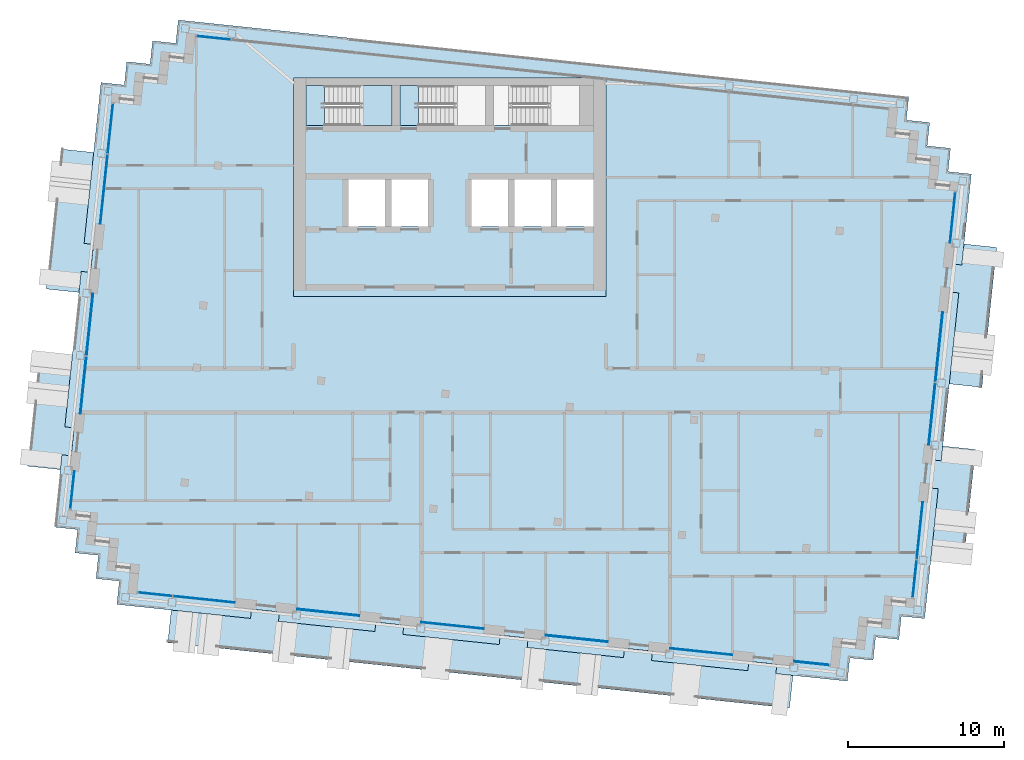
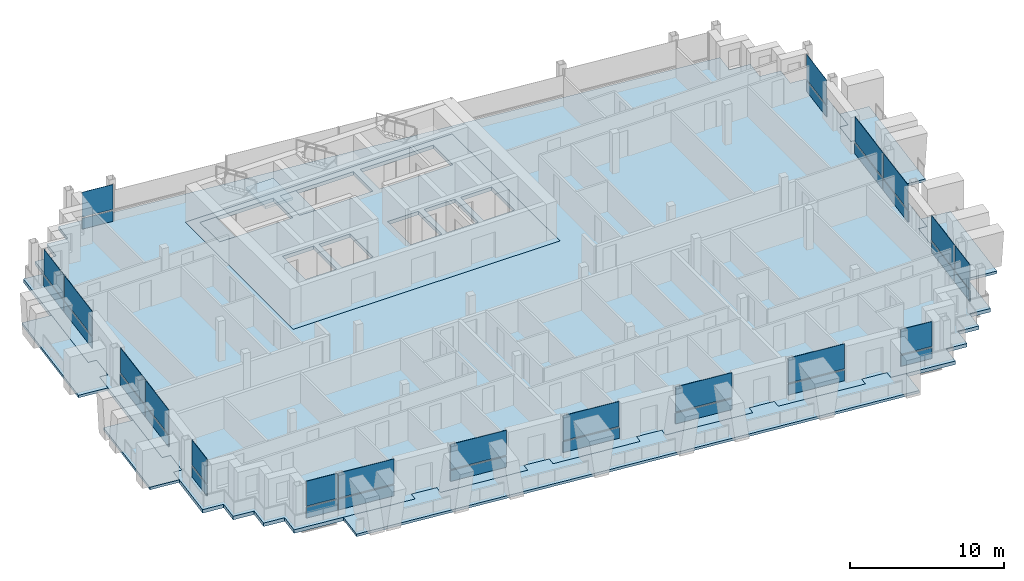
# One storey, part 7 of 17: 36 plates, 10 slabs, 14 elements without a shape of their own.
"""IFC4 building model written with IfcOpenShell, lengths in metres."""

from ifc_helpers import new_model, si_unit, direction, frame, origin, origin_2d, place, context, subcontext, project, spatial, polyline, rectangle, outline, extrude, material, layer, layer_set, type_object, element, aggregate, save


model = new_model("IFC4")

# Units and contexts
model_context = context("Model", 3, precision=1e-05, world=origin(), true_north=direction((0.0, 1.0)))
body_context = subcontext(model_context, "Body", "Model", "MODEL_VIEW")
ifc_project = project(units=[si_unit("LENGTHUNIT", "METRE"), si_unit("AREAUNIT", "SQUARE_METRE"), si_unit("VOLUMEUNIT", "CUBIC_METRE"), si_unit("PLANEANGLEUNIT", "RADIAN"), si_unit("MASSUNIT", "GRAM", prefix="KILO")], contexts=[model_context])

# Site, building, storey
site_placement = place(None, origin())
site = spatial("IfcSite", under=ifc_project, at=site_placement, CompositionType="ELEMENT")
building_placement = place(site_placement, origin())
building = spatial("IfcBuilding", under=site, at=building_placement, Name="Vidyagriha Tower", CompositionType="ELEMENT")
storey_placement = place(building_placement, frame((0.0, 0.0, 269.10009765625)))
storey = spatial("IfcBuildingStorey", under=building, at=storey_placement, Name="L70", CompositionType="ELEMENT", Elevation=269.10009765625)

# Curtain wall, plate
ifc_material_1 = material(Name="Aluminium and glass curtain wall", Category="aluminium")
curtain_wall_type = type_object("IfcCurtainWallType", Name="Dwelling skin unitised curtain wall", PredefinedType="USERDEFINED", material=ifc_material_1)
curtain_wall_1_placement = place(storey_placement, origin())
curtain_wall_1 = element("IfcCurtainWall", 1, at=curtain_wall_1_placement, inside=storey, type_object=curtain_wall_type, Name="CW1 dwelling skin", ObjectType="UNITISED", PredefinedType="USERDEFINED")
ifc_material_2 = material(Name="Glass dark ceramic-fritted spandrel", Category="glass")
ifc_layer_1 = layer(ifc_material_2, 0.0400390625)
ifc_layer_set_1 = layer_set([ifc_layer_1], Name="Glass dark ceramic-fritted spandrel")
plate_type_1 = type_object("IfcPlateType", Name="Ceramic-fritted spandrel panel", PredefinedType="CURTAIN_PANEL", material=ifc_layer_set_1)
plate_1_placement = place(storey_placement, frame((-15.11083984375, 22.56396484375, -0.000244140625), z_axis=(0.0, 0.0, 1.0), x_axis=(-0.994521854435, 0.104528852722, 0.0)))
plate_1 = element("IfcPlate", 2, at=plate_1_placement, type_object=plate_type_1, Name="CW1 panel 7.1", PredefinedType="CURTAIN_PANEL", context=body_context, shape_type="SweptSolid", body=[
    extrude(rectangle(XDim=2.195068359375, YDim=0.0400390625, at=origin_2d()), origin(), (0.0, 0.0, 1.0), 0.85009765625),
])

# Curtain wall, plates
curtain_wall_2_placement = place(storey_placement, origin())
curtain_wall_2 = element("IfcCurtainWall", 3, at=curtain_wall_2_placement, inside=storey, type_object=curtain_wall_type, Name="CW1 dwelling skin", ObjectType="UNITISED", PredefinedType="USERDEFINED")
plate_2_placement = place(storey_placement, frame((-21.7216796875, 16.755615234375, -0.000244140625), z_axis=(0.0, 0.0, 1.0), x_axis=(-0.104525282489, -0.994522229676, 0.0)))
plate_2 = element("IfcPlate", 4, at=plate_2_placement, type_object=plate_type_1, Name="CW1 panel 1.1", PredefinedType="CURTAIN_PANEL", context=body_context, shape_type="SweptSolid", body=[
    extrude(rectangle(XDim=3.195068359375, YDim=0.0400390625, at=origin_2d()), origin(), (0.0, 0.0, 1.0), 0.85009765625),
])
plate_3_placement = place(storey_placement, frame((-22.12939453125, 12.876953125, -0.000244140625), z_axis=(0.0, 0.0, 1.0), x_axis=(-0.104525282489, -0.994522229676, 0.0)))
plate_3 = element("IfcPlate", 5, at=plate_3_placement, type_object=plate_type_1, Name="CW1 panel 2.1", PredefinedType="CURTAIN_PANEL", context=body_context, shape_type="SweptSolid", body=[
    extrude(rectangle(XDim=4.465087890625, YDim=0.0400390625, at=origin_2d()), origin(), (0.0, 0.0, 1.0), 0.85009765625),
])

# Curtain wall, plate
curtain_wall_3_placement = place(storey_placement, origin())
curtain_wall_3 = element("IfcCurtainWall", 6, at=curtain_wall_3_placement, inside=storey, type_object=curtain_wall_type, Name="CW1 dwelling skin", ObjectType="UNITISED", PredefinedType="USERDEFINED")
plate_4_placement = place(storey_placement, frame((-24.151611328125, -6.364501953125, -0.000244140625), z_axis=(0.0, 0.0, 1.0), x_axis=(-0.10451613172, -0.994523191389, 0.0)))
plate_4 = element("IfcPlate", 7, at=plate_4_placement, type_object=plate_type_1, Name="CW1 panel 1.1", PredefinedType="CURTAIN_PANEL", context=body_context, shape_type="SweptSolid", body=[
    extrude(rectangle(XDim=2.43017578125, YDim=0.0400390625, at=origin_2d()), origin(), (0.0, 0.0, 1.0), 0.85009765625),
])

# Curtain wall, plates
curtain_wall_4_placement = place(storey_placement, origin())
curtain_wall_4 = element("IfcCurtainWall", 8, at=curtain_wall_4_placement, inside=storey, type_object=curtain_wall_type, Name="CW1 dwelling skin", ObjectType="UNITISED", PredefinedType="USERDEFINED")
plate_5_placement = place(storey_placement, frame((-18.852783203125, -13.0400390625, -0.000244140625), z_axis=(0.0, 0.0, 1.0), x_axis=(0.994522400055, -0.104523661385, 0.0)))
plate_5 = element("IfcPlate", 9, at=plate_5_placement, type_object=plate_type_1, Name="CW1 panel 1.1", PredefinedType="CURTAIN_PANEL", context=body_context, shape_type="SweptSolid", body=[
    extrude(rectangle(XDim=2.195068359375, YDim=0.0400390625, at=origin_2d()), origin(), (0.0, 0.0, 1.0), 0.85009765625),
])
plate_6_placement = place(storey_placement, frame((-15.72021484375, -13.369384765625, -0.000244140625), z_axis=(0.0, 0.0, 1.0), x_axis=(0.994522400055, -0.104523661385, 0.0)))
plate_6 = element("IfcPlate", 10, at=plate_6_placement, type_object=plate_type_1, Name="CW1 panel 2.1", PredefinedType="CURTAIN_PANEL", context=body_context, shape_type="SweptSolid", body=[
    extrude(rectangle(XDim=3.965087890625, YDim=0.0400390625, at=origin_2d()), origin(), (0.0, 0.0, 1.0), 0.85009765625),
])

# Curtain wall, plate
curtain_wall_5_placement = place(storey_placement, origin())
curtain_wall_5 = element("IfcCurtainWall", 11, at=curtain_wall_5_placement, inside=storey, type_object=curtain_wall_type, Name="CW1 dwelling skin", ObjectType="UNITISED", PredefinedType="USERDEFINED")
plate_7_placement = place(storey_placement, frame((0.1748046875, -15.039794921875, -0.000244140625), z_axis=(0.0, 0.0, 1.0), x_axis=(0.994522016164, -0.104527313963, 0.0)))
plate_7 = element("IfcPlate", 12, at=plate_7_placement, type_object=plate_type_1, Name="CW1 panel 1.1", PredefinedType="CURTAIN_PANEL", context=body_context, shape_type="SweptSolid", body=[
    extrude(rectangle(XDim=4.0, YDim=0.0400390625, at=origin_2d()), origin(), (0.0, 0.0, 1.0), 0.85009765625),
])

curtain_wall_6_placement = place(storey_placement, origin())
curtain_wall_6 = element("IfcCurtainWall", 13, at=curtain_wall_6_placement, inside=storey, type_object=curtain_wall_type, Name="CW1 dwelling skin", ObjectType="UNITISED", PredefinedType="USERDEFINED")
plate_8_placement = place(storey_placement, frame((16.087158203125, -16.71240234375, -0.000244140625), z_axis=(0.0, 0.0, 1.0), x_axis=(0.994522289309, -0.104524715101, 0.0)))
plate_8 = element("IfcPlate", 14, at=plate_8_placement, type_object=plate_type_1, Name="CW1 panel 1.1", PredefinedType="CURTAIN_PANEL", context=body_context, shape_type="SweptSolid", body=[
    extrude(rectangle(XDim=4.0, YDim=0.0400390625, at=origin_2d()), origin(), (0.0, 0.0, 1.0), 0.85009765625),
])

# Curtain wall, plates
curtain_wall_7_placement = place(storey_placement, origin())
curtain_wall_7 = element("IfcCurtainWall", 15, at=curtain_wall_7_placement, inside=storey, type_object=curtain_wall_type, Name="CW1 dwelling skin", ObjectType="UNITISED", PredefinedType="USERDEFINED")
plate_9_placement = place(storey_placement, frame((29.74951171875, -12.04736328125, -0.000244140625), z_axis=(0.0, 0.0, 1.0), x_axis=(0.10453281607, 0.994521437861, 0.0)))
plate_9 = element("IfcPlate", 16, at=plate_9_placement, type_object=plate_type_1, Name="CW1 panel 1.1", PredefinedType="CURTAIN_PANEL", context=body_context, shape_type="SweptSolid", body=[
    extrude(rectangle(XDim=2.39501953125, YDim=0.0400390625, at=origin_2d()), origin(), (0.0, 0.0, 1.0), 0.85009765625),
])
plate_10_placement = place(storey_placement, frame((30.073486328125, -8.96435546875, -0.000244140625), z_axis=(0.0, 0.0, 1.0), x_axis=(0.10453281607, 0.994521437861, 0.0)))
plate_10 = element("IfcPlate", 17, at=plate_10_placement, type_object=plate_type_1, Name="CW1 panel 2.1", PredefinedType="CURTAIN_PANEL", context=body_context, shape_type="SweptSolid", body=[
    extrude(rectangle(XDim=3.6650390625, YDim=0.0400390625, at=origin_2d()), origin(), (0.0, 0.0, 1.0), 0.85009765625),
])

# Curtain wall, plate
curtain_wall_8_placement = place(storey_placement, origin())
curtain_wall_8 = element("IfcCurtainWall", 18, at=curtain_wall_8_placement, inside=storey, type_object=curtain_wall_type, Name="CW1 dwelling skin", ObjectType="UNITISED", PredefinedType="USERDEFINED")
plate_11_placement = place(storey_placement, frame((32.1796875, 11.07275390625, -0.000244140625), z_axis=(0.0, 0.0, 1.0), x_axis=(0.10451599791, 0.994523205451, 0.0)))
plate_11 = element("IfcPlate", 19, at=plate_11_placement, type_object=plate_type_1, Name="CW1 panel 1.1", PredefinedType="CURTAIN_PANEL", context=body_context, shape_type="SweptSolid", body=[
    extrude(rectangle(XDim=3.22998046875, YDim=0.0400390625, at=origin_2d()), origin(), (0.0, 0.0, 1.0), 0.85009765625),
])

# Slab
ifc_material_3 = material(Name="Concrete C60/75", Category="concrete")
ifc_layer_2 = layer(ifc_material_3, 0.280029296875)
ifc_layer_set_2 = layer_set([ifc_layer_2], Name="Concrete C60/75")
slab_type_1 = type_object("IfcSlabType", Name="Core floor slab 280 mm", PredefinedType="FLOOR", material=ifc_layer_set_2)
slab_1_placement = place(storey_placement, frame((0.0, 0.0, -0.280029296875)))
element("IfcSlab", 20, at=slab_1_placement, inside=storey, type_object=slab_type_1, Name="L70 core floor 1", PredefinedType="FLOOR", context=body_context, shape_type="SweptSolid", body=[
    extrude(outline(polyline([(-10.0, 6.0), (-10.0, 20.0), (10.0, 20.0), (10.0, 6.0), (-10.0, 6.0)]), holes=[polyline([(6.86669921875, 13.5), (6.86669921875, 10.5), (9.199951171875, 10.5), (9.199951171875, 13.5), (6.86669921875, 13.5)]), polyline([(4.0, 19.5), (2.800048828125, 19.5), (2.800048828125, 16.949951171875), (4.0, 16.949951171875), (8.300048828125, 16.949951171875), (8.300048828125, 19.5), (4.0, 19.5)]), polyline([(6.466796875, 13.5), (4.13330078125, 13.5), (4.13330078125, 10.5), (6.466796875, 10.5), (6.466796875, 13.5)]), polyline([(3.7333984375, 13.5), (1.39990234375, 13.5), (1.39990234375, 10.5), (3.7333984375, 10.5), (3.7333984375, 13.5)]), polyline([(-2.0, 16.949951171875), (2.300048828125, 16.949951171875), (2.300048828125, 19.5), (-2.0, 19.5), (-3.199951171875, 19.5), (-3.199951171875, 16.949951171875), (-2.0, 16.949951171875)]), polyline([(-3.7333984375, 13.5), (-3.7333984375, 10.5), (-1.39990234375, 10.5), (-1.39990234375, 13.5), (-3.7333984375, 13.5)]), polyline([(-9.199951171875, 19.5), (-9.199951171875, 16.949951171875), (-8.0, 16.949951171875), (-3.699951171875, 16.949951171875), (-3.699951171875, 19.5), (-8.0, 19.5), (-9.199951171875, 19.5)]), polyline([(-6.466796875, 13.5), (-6.466796875, 10.5), (-4.13330078125, 10.5), (-4.13330078125, 13.5), (-6.466796875, 13.5)])]), origin(), (0.0, 0.0, 1.0), 0.280029296875),
])

# Plate
ifc_material_4 = material(Name="Glass dark ceramic-fritted", Category="glass")
ifc_layer_3 = layer(ifc_material_4, 0.028076171875)
ifc_layer_set_3 = layer_set([ifc_layer_3], Name="Glass dark ceramic-fritted")
plate_type_2 = type_object("IfcPlateType", Name="Dark ceramic-fritted vision glass panel", PredefinedType="CURTAIN_PANEL", material=ifc_layer_set_3)
plate_12_placement = place(storey_placement, frame((-15.11083984375, 22.56396484375, 0.94970703125), z_axis=(0.0, 0.0, 1.0), x_axis=(-0.994521854435, 0.104528852722, 0.0)))
plate_12 = element("IfcPlate", 21, at=plate_12_placement, type_object=plate_type_2, Name="CW1 panel 7.2", PredefinedType="CURTAIN_PANEL", context=body_context, shape_type="SweptSolid", body=[
    extrude(rectangle(XDim=2.195068359375, YDim=0.028076171875, at=origin_2d()), origin(), (0.0, 0.0, 1.0), 1.969970703125),
])

aggregate(curtain_wall_1, [plate_1, plate_12])

plate_13_placement = place(storey_placement, frame((-21.7216796875, 16.755615234375, 0.94970703125), z_axis=(0.0, 0.0, 1.0), x_axis=(-0.104525282489, -0.994522229676, 0.0)))
plate_13 = element("IfcPlate", 22, at=plate_13_placement, type_object=plate_type_2, Name="CW1 panel 1.2", PredefinedType="CURTAIN_PANEL", context=body_context, shape_type="SweptSolid", body=[
    extrude(rectangle(XDim=3.195068359375, YDim=0.028076171875, at=origin_2d()), origin(), (0.0, 0.0, 1.0), 1.969970703125),
])

plate_14_placement = place(storey_placement, frame((-22.12939453125, 12.876953125, 0.94970703125), z_axis=(0.0, 0.0, 1.0), x_axis=(-0.104525282489, -0.994522229676, 0.0)))
plate_14 = element("IfcPlate", 23, at=plate_14_placement, type_object=plate_type_2, Name="CW1 panel 2.2", PredefinedType="CURTAIN_PANEL", context=body_context, shape_type="SweptSolid", body=[
    extrude(rectangle(XDim=4.465087890625, YDim=0.028076171875, at=origin_2d()), origin(), (0.0, 0.0, 1.0), 1.969970703125),
])

aggregate(curtain_wall_2, [plate_2, plate_13, plate_3, plate_14])

# Curtain wall, plates
curtain_wall_9_placement = place(storey_placement, origin())
curtain_wall_9 = element("IfcCurtainWall", 24, at=curtain_wall_9_placement, inside=storey, type_object=curtain_wall_type, Name="CW1 dwelling skin", ObjectType="UNITISED", PredefinedType="USERDEFINED")
plate_15_placement = place(storey_placement, frame((-23.040283203125, 4.209716796875, 0.94970703125), z_axis=(0.0, 0.0, 1.0), x_axis=(-0.10453267483, -0.994521452706, 0.0)))
plate_15 = element("IfcPlate", 25, at=plate_15_placement, type_object=plate_type_2, Name="CW1 panel 1.2", PredefinedType="CURTAIN_PANEL", context=body_context, shape_type="SweptSolid", body=[
    extrude(rectangle(XDim=3.965087890625, YDim=0.028076171875, at=origin_2d()), origin(), (0.0, 0.0, 1.0), 1.969970703125),
])
plate_16_placement = place(storey_placement, frame((-23.4462890625, 0.345947265625, 0.94970703125), z_axis=(0.0, 0.0, 1.0), x_axis=(-0.10453267483, -0.994521452706, 0.0)))
plate_16 = element("IfcPlate", 26, at=plate_16_placement, type_object=plate_type_2, Name="CW1 panel 2.2", PredefinedType="CURTAIN_PANEL", context=body_context, shape_type="SweptSolid", body=[
    extrude(rectangle(XDim=3.6650390625, YDim=0.028076171875, at=origin_2d()), origin(), (0.0, 0.0, 1.0), 1.969970703125),
])

# Plate
plate_17_placement = place(storey_placement, frame((-24.151611328125, -6.364501953125, 0.94970703125), z_axis=(0.0, 0.0, 1.0), x_axis=(-0.10451613172, -0.994523191389, 0.0)))
plate_17 = element("IfcPlate", 27, at=plate_17_placement, type_object=plate_type_2, Name="CW1 panel 1.2", PredefinedType="CURTAIN_PANEL", context=body_context, shape_type="SweptSolid", body=[
    extrude(rectangle(XDim=2.43017578125, YDim=0.028076171875, at=origin_2d()), origin(), (0.0, 0.0, 1.0), 1.969970703125),
])

aggregate(curtain_wall_3, [plate_4, plate_17])

plate_18_placement = place(storey_placement, frame((-18.852783203125, -13.0400390625, 0.94970703125), z_axis=(0.0, 0.0, 1.0), x_axis=(0.994522400055, -0.104523661385, 0.0)))
plate_18 = element("IfcPlate", 28, at=plate_18_placement, type_object=plate_type_2, Name="CW1 panel 1.2", PredefinedType="CURTAIN_PANEL", context=body_context, shape_type="SweptSolid", body=[
    extrude(rectangle(XDim=2.195068359375, YDim=0.028076171875, at=origin_2d()), origin(), (0.0, 0.0, 1.0), 1.969970703125),
])

plate_19_placement = place(storey_placement, frame((-15.72021484375, -13.369384765625, 0.94970703125), z_axis=(0.0, 0.0, 1.0), x_axis=(0.994522400055, -0.104523661385, 0.0)))
plate_19 = element("IfcPlate", 29, at=plate_19_placement, type_object=plate_type_2, Name="CW1 panel 2.2", PredefinedType="CURTAIN_PANEL", context=body_context, shape_type="SweptSolid", body=[
    extrude(rectangle(XDim=3.965087890625, YDim=0.028076171875, at=origin_2d()), origin(), (0.0, 0.0, 1.0), 1.969970703125),
])

aggregate(curtain_wall_4, [plate_5, plate_18, plate_6, plate_19])

# Curtain wall, plate
curtain_wall_10_placement = place(storey_placement, origin())
curtain_wall_10 = element("IfcCurtainWall", 30, at=curtain_wall_10_placement, inside=storey, type_object=curtain_wall_type, Name="CW1 dwelling skin", ObjectType="UNITISED", PredefinedType="USERDEFINED")
plate_20_placement = place(storey_placement, frame((-7.78125, -14.20361328125, 0.94970703125), z_axis=(0.0, 0.0, 1.0), x_axis=(0.994519690211, -0.104549441808, 0.0)))
plate_20 = element("IfcPlate", 31, at=plate_20_placement, type_object=plate_type_2, Name="CW1 panel 1.2", PredefinedType="CURTAIN_PANEL", context=body_context, shape_type="SweptSolid", body=[
    extrude(rectangle(XDim=4.0, YDim=0.028076171875, at=origin_2d()), origin(), (0.0, 0.0, 1.0), 1.969970703125),
])

# Plate
plate_21_placement = place(storey_placement, frame((0.1748046875, -15.039794921875, 0.94970703125), z_axis=(0.0, 0.0, 1.0), x_axis=(0.994522016164, -0.104527313963, 0.0)))
plate_21 = element("IfcPlate", 32, at=plate_21_placement, type_object=plate_type_2, Name="CW1 panel 1.2", PredefinedType="CURTAIN_PANEL", context=body_context, shape_type="SweptSolid", body=[
    extrude(rectangle(XDim=4.0, YDim=0.028076171875, at=origin_2d()), origin(), (0.0, 0.0, 1.0), 1.969970703125),
])

aggregate(curtain_wall_5, [plate_7, plate_21])

# Curtain wall, plate
curtain_wall_11_placement = place(storey_placement, origin())
curtain_wall_11 = element("IfcCurtainWall", 33, at=curtain_wall_11_placement, inside=storey, type_object=curtain_wall_type, Name="CW1 dwelling skin", ObjectType="UNITISED", PredefinedType="USERDEFINED")
plate_22_placement = place(storey_placement, frame((8.131103515625, -15.876220703125, 0.94970703125), z_axis=(0.0, 0.0, 1.0), x_axis=(0.994522289309, -0.104524715101, 0.0)))
plate_22 = element("IfcPlate", 34, at=plate_22_placement, type_object=plate_type_2, Name="CW1 panel 1.2", PredefinedType="CURTAIN_PANEL", context=body_context, shape_type="SweptSolid", body=[
    extrude(rectangle(XDim=4.0, YDim=0.028076171875, at=origin_2d()), origin(), (0.0, 0.0, 1.0), 1.969970703125),
])

# Plate
plate_23_placement = place(storey_placement, frame((16.087158203125, -16.71240234375, 0.94970703125), z_axis=(0.0, 0.0, 1.0), x_axis=(0.994522289309, -0.104524715101, 0.0)))
plate_23 = element("IfcPlate", 35, at=plate_23_placement, type_object=plate_type_2, Name="CW1 panel 1.2", PredefinedType="CURTAIN_PANEL", context=body_context, shape_type="SweptSolid", body=[
    extrude(rectangle(XDim=4.0, YDim=0.028076171875, at=origin_2d()), origin(), (0.0, 0.0, 1.0), 1.969970703125),
])

aggregate(curtain_wall_6, [plate_8, plate_23])

# Curtain wall, plate
curtain_wall_12_placement = place(storey_placement, origin())
curtain_wall_12 = element("IfcCurtainWall", 36, at=curtain_wall_12_placement, inside=storey, type_object=curtain_wall_type, Name="CW1 dwelling skin", ObjectType="UNITISED", PredefinedType="USERDEFINED")
plate_24_placement = place(storey_placement, frame((23.1630859375, -17.4560546875, 0.94970703125), z_axis=(0.0, 0.0, 1.0), x_axis=(0.994522592653, -0.10452182883, 0.0)))
plate_24 = element("IfcPlate", 37, at=plate_24_placement, type_object=plate_type_2, Name="CW1 panel 1.2", PredefinedType="CURTAIN_PANEL", context=body_context, shape_type="SweptSolid", body=[
    extrude(rectangle(XDim=2.22998046875, YDim=0.028076171875, at=origin_2d()), origin(), (0.0, 0.0, 1.0), 1.969970703125),
])

# Plate
plate_25_placement = place(storey_placement, frame((29.74951171875, -12.04736328125, 0.94970703125), z_axis=(0.0, 0.0, 1.0), x_axis=(0.10453281607, 0.994521437861, 0.0)))
plate_25 = element("IfcPlate", 38, at=plate_25_placement, type_object=plate_type_2, Name="CW1 panel 1.2", PredefinedType="CURTAIN_PANEL", context=body_context, shape_type="SweptSolid", body=[
    extrude(rectangle(XDim=2.39501953125, YDim=0.028076171875, at=origin_2d()), origin(), (0.0, 0.0, 1.0), 1.969970703125),
])

plate_26_placement = place(storey_placement, frame((30.073486328125, -8.96435546875, 0.94970703125), z_axis=(0.0, 0.0, 1.0), x_axis=(0.10453281607, 0.994521437861, 0.0)))
plate_26 = element("IfcPlate", 39, at=plate_26_placement, type_object=plate_type_2, Name="CW1 panel 2.2", PredefinedType="CURTAIN_PANEL", context=body_context, shape_type="SweptSolid", body=[
    extrude(rectangle(XDim=3.6650390625, YDim=0.028076171875, at=origin_2d()), origin(), (0.0, 0.0, 1.0), 1.969970703125),
])

aggregate(curtain_wall_7, [plate_9, plate_25, plate_10, plate_26])

# Curtain wall, plates
curtain_wall_13_placement = place(storey_placement, origin())
curtain_wall_13 = element("IfcCurtainWall", 40, at=curtain_wall_13_placement, inside=storey, type_object=curtain_wall_type, Name="CW1 dwelling skin", ObjectType="UNITISED", PredefinedType="USERDEFINED")
plate_27_placement = place(storey_placement, frame((30.859130859375, -1.490478515625, 0.94970703125), z_axis=(0.0, 0.0, 1.0), x_axis=(0.104529843047, 0.994521750347, 0.0)))
plate_27 = element("IfcPlate", 41, at=plate_27_placement, type_object=plate_type_2, Name="CW1 panel 1.2", PredefinedType="CURTAIN_PANEL", context=body_context, shape_type="SweptSolid", body=[
    extrude(rectangle(XDim=3.965087890625, YDim=0.028076171875, at=origin_2d()), origin(), (0.0, 0.0, 1.0), 1.969970703125),
])
plate_28_placement = place(storey_placement, frame((31.306884765625, 2.77099609375, 0.94970703125), z_axis=(0.0, 0.0, 1.0), x_axis=(0.104529843047, 0.994521750347, 0.0)))
plate_28 = element("IfcPlate", 42, at=plate_28_placement, type_object=plate_type_2, Name="CW1 panel 2.2", PredefinedType="CURTAIN_PANEL", context=body_context, shape_type="SweptSolid", body=[
    extrude(rectangle(XDim=4.465087890625, YDim=0.028076171875, at=origin_2d()), origin(), (0.0, 0.0, 1.0), 1.969970703125),
])

# Plate
plate_29_placement = place(storey_placement, frame((32.1796875, 11.07275390625, 0.94970703125), z_axis=(0.0, 0.0, 1.0), x_axis=(0.10451599791, 0.994523205451, 0.0)))
plate_29 = element("IfcPlate", 43, at=plate_29_placement, type_object=plate_type_2, Name="CW1 panel 1.2", PredefinedType="CURTAIN_PANEL", context=body_context, shape_type="SweptSolid", body=[
    extrude(rectangle(XDim=3.22998046875, YDim=0.028076171875, at=origin_2d()), origin(), (0.0, 0.0, 1.0), 1.969970703125),
])

aggregate(curtain_wall_8, [plate_11, plate_29])

# Slabs
ifc_material_5 = material(Name="Concrete C40/50", Category="concrete")
ifc_layer_4 = layer(ifc_material_5, 0.280029296875)
ifc_layer_set_4 = layer_set([ifc_layer_4], Name="Concrete C40/50")
slab_type_2 = type_object("IfcSlabType", Name="Exit stair floor landing 280 mm", PredefinedType="LANDING", material=ifc_layer_set_4)
slab_2_placement = place(storey_placement, frame((0.0, 0.0, -0.280029296875)))
element("IfcSlab", 44, at=slab_2_placement, inside=storey, type_object=slab_type_2, Name="ST1 floor landing L70", PredefinedType="LANDING", context=body_context, shape_type="SweptSolid", body=[
    extrude(outline(polyline([(-9.199951171875, 16.949951171875), (-8.0, 16.949951171875), (-8.0, 19.5), (-9.199951171875, 19.5), (-9.199951171875, 16.949951171875)])), origin(), (0.0, 0.0, 1.0), 0.280029296875),
])
slab_3_placement = place(storey_placement, frame((0.0, 0.0, -0.280029296875)))
element("IfcSlab", 45, at=slab_3_placement, inside=storey, type_object=slab_type_2, Name="ST2 floor landing L70", PredefinedType="LANDING", context=body_context, shape_type="SweptSolid", body=[
    extrude(outline(polyline([(-3.199951171875, 16.949951171875), (-2.0, 16.949951171875), (-2.0, 19.5), (-3.199951171875, 19.5), (-3.199951171875, 16.949951171875)])), origin(), (0.0, 0.0, 1.0), 0.280029296875),
])

# Stair, slab
ifc_material_6 = material(Name="Concrete C40/50", Category="concrete")
stair_type = type_object("IfcStairType", Name="Exit stair, half-turn, precast flights", PredefinedType="HALF_TURN_STAIR", material=ifc_material_6)
stair_placement = place(storey_placement, origin())
stair = element("IfcStair", 46, at=stair_placement, inside=storey, type_object=stair_type, Name="L70 Exit Stair ST1", PredefinedType="HALF_TURN_STAIR")
ifc_material_7 = material(Name="Concrete C40/50", Category="concrete")
ifc_layer_5 = layer(ifc_material_7, 0.199951171875)
ifc_layer_set_5 = layer_set([ifc_layer_5], Name="Concrete C40/50")
slab_type_3 = type_object("IfcSlabType", Name="Exit stair landing 200 mm", PredefinedType="LANDING", material=ifc_layer_set_5)
slab_4_placement = place(storey_placement, frame((0.0, 0.0, 1.39990234375)))
slab_4 = element("IfcSlab", 47, at=slab_4_placement, type_object=slab_type_3, Name="ST1 landing 1", PredefinedType="LANDING", context=body_context, shape_type="SweptSolid", body=[
    extrude(outline(polyline([(-5.760009765625, 16.949951171875), (-3.699951171875, 16.949951171875), (-3.699951171875, 19.5), (-5.760009765625, 19.5), (-5.760009765625, 16.949951171875)])), origin(), (0.0, 0.0, 1.0), 0.199951171875),
])
aggregate(stair, [slab_4])

# Plate
ifc_material_8 = material(Name="Aluminium black anodised", Category="aluminium")
ifc_layer_6 = layer(ifc_material_8, 0.06005859375)
ifc_layer_set_6 = layer_set([ifc_layer_6], Name="Aluminium black anodised")
plate_type_3 = type_object("IfcPlateType", Name="Operable black-metal vent panel", PredefinedType="CURTAIN_PANEL", material=ifc_layer_set_6)
plate_30_placement = place(storey_placement, frame((-23.040283203125, 4.209716796875, -0.000244140625), z_axis=(0.0, 0.0, 1.0), x_axis=(-0.10453267483, -0.994521452706, 0.0)))
plate_30 = element("IfcPlate", 48, at=plate_30_placement, type_object=plate_type_3, Name="CW1 panel 1.1", PredefinedType="CURTAIN_PANEL", context=body_context, shape_type="SweptSolid", body=[
    extrude(rectangle(XDim=3.965087890625, YDim=0.06005859375, at=origin_2d()), origin(), (0.0, 0.0, 1.0), 0.85009765625),
])

plate_31_placement = place(storey_placement, frame((-23.4462890625, 0.345947265625, -0.000244140625), z_axis=(0.0, 0.0, 1.0), x_axis=(-0.10453267483, -0.994521452706, 0.0)))
plate_31 = element("IfcPlate", 49, at=plate_31_placement, type_object=plate_type_3, Name="CW1 panel 2.1", PredefinedType="CURTAIN_PANEL", context=body_context, shape_type="SweptSolid", body=[
    extrude(rectangle(XDim=3.6650390625, YDim=0.06005859375, at=origin_2d()), origin(), (0.0, 0.0, 1.0), 0.85009765625),
])

aggregate(curtain_wall_9, [plate_30, plate_15, plate_31, plate_16])

plate_32_placement = place(storey_placement, frame((-7.78125, -14.20361328125, -0.000244140625), z_axis=(0.0, 0.0, 1.0), x_axis=(0.994519690211, -0.104549441808, 0.0)))
plate_32 = element("IfcPlate", 50, at=plate_32_placement, type_object=plate_type_3, Name="CW1 panel 1.1", PredefinedType="CURTAIN_PANEL", context=body_context, shape_type="SweptSolid", body=[
    extrude(rectangle(XDim=4.0, YDim=0.06005859375, at=origin_2d()), origin(), (0.0, 0.0, 1.0), 0.85009765625),
])

aggregate(curtain_wall_10, [plate_32, plate_20])

plate_33_placement = place(storey_placement, frame((8.131103515625, -15.876220703125, -0.000244140625), z_axis=(0.0, 0.0, 1.0), x_axis=(0.994522289309, -0.104524715101, 0.0)))
plate_33 = element("IfcPlate", 51, at=plate_33_placement, type_object=plate_type_3, Name="CW1 panel 1.1", PredefinedType="CURTAIN_PANEL", context=body_context, shape_type="SweptSolid", body=[
    extrude(rectangle(XDim=4.0, YDim=0.06005859375, at=origin_2d()), origin(), (0.0, 0.0, 1.0), 0.85009765625),
])

aggregate(curtain_wall_11, [plate_33, plate_22])

plate_34_placement = place(storey_placement, frame((23.1630859375, -17.4560546875, -0.000244140625), z_axis=(0.0, 0.0, 1.0), x_axis=(0.994522592653, -0.10452182883, 0.0)))
plate_34 = element("IfcPlate", 52, at=plate_34_placement, type_object=plate_type_3, Name="CW1 panel 1.1", PredefinedType="CURTAIN_PANEL", context=body_context, shape_type="SweptSolid", body=[
    extrude(rectangle(XDim=2.22998046875, YDim=0.06005859375, at=origin_2d()), origin(), (0.0, 0.0, 1.0), 0.85009765625),
])

aggregate(curtain_wall_12, [plate_34, plate_24])

plate_35_placement = place(storey_placement, frame((30.859130859375, -1.490478515625, -0.000244140625), z_axis=(0.0, 0.0, 1.0), x_axis=(0.104529843047, 0.994521750347, 0.0)))
plate_35 = element("IfcPlate", 53, at=plate_35_placement, type_object=plate_type_3, Name="CW1 panel 1.1", PredefinedType="CURTAIN_PANEL", context=body_context, shape_type="SweptSolid", body=[
    extrude(rectangle(XDim=3.965087890625, YDim=0.06005859375, at=origin_2d()), origin(), (0.0, 0.0, 1.0), 0.85009765625),
])

plate_36_placement = place(storey_placement, frame((31.306884765625, 2.77099609375, -0.000244140625), z_axis=(0.0, 0.0, 1.0), x_axis=(0.104529843047, 0.994521750347, 0.0)))
plate_36 = element("IfcPlate", 54, at=plate_36_placement, type_object=plate_type_3, Name="CW1 panel 2.1", PredefinedType="CURTAIN_PANEL", context=body_context, shape_type="SweptSolid", body=[
    extrude(rectangle(XDim=4.465087890625, YDim=0.06005859375, at=origin_2d()), origin(), (0.0, 0.0, 1.0), 0.85009765625),
])

aggregate(curtain_wall_13, [plate_35, plate_27, plate_36, plate_28])

# Slabs
ifc_material_9 = material(Name="Concrete C50/60", Category="concrete")
ifc_layer_7 = layer(ifc_material_9, 0.280029296875)
ifc_layer_set_7 = layer_set([ifc_layer_7], Name="Concrete C50/60")
slab_type_4 = type_object("IfcSlabType", Name="Post-tensioned flat plate 280", PredefinedType="FLOOR", material=ifc_layer_set_7)
slab_5_placement = place(storey_placement, frame((0.0, 0.0, -0.280029296875)))
element("IfcSlab", 55, at=slab_5_placement, inside=storey, type_object=slab_type_4, Name="st-slab-L70-1", PredefinedType="FLOOR", context=body_context, shape_type="SweptSolid", body=[
    extrude(outline(polyline([(28.738037109375, -15.930419921875), (27.246337890625, -15.773681640625), (27.089599609375, -17.265380859375), (25.597900390625, -17.108642578125), (25.44091796875, -18.600341796875), (20.8662109375, -18.11962890625), (20.928955078125, -17.52294921875), (19.138916015625, -17.334716796875), (19.076171875, -17.931396484375), (12.91015625, -17.283447265625), (12.972900390625, -16.686767578125), (11.1826171875, -16.49853515625), (11.119873046875, -17.09521484375), (4.953857421875, -16.447265625), (5.0166015625, -15.8505859375), (3.226318359375, -15.662353515625), (3.163818359375, -16.259033203125), (-3.002197265625, -15.61083984375), (-2.939453125, -15.014404296875), (-4.729736328125, -14.826171875), (-4.79248046875, -15.4228515625), (-10.95849609375, -14.774658203125), (-10.895751953125, -14.177978515625), (-12.685791015625, -13.98974609375), (-12.74853515625, -14.586669921875), (-21.301513671875, -13.6875), (-21.144775390625, -12.19580078125), (-22.636474609375, -12.0390625), (-22.479736328125, -10.547119140625), (-23.971435546875, -10.390380859375), (-23.814697265625, -8.898681640625), (-25.306396484375, -8.741943359375), (-24.8203125, -4.1171875), (-24.223876953125, -4.179931640625), (-24.03564453125, -2.389892578125), (-24.63232421875, -2.3271484375), (-23.5869140625, 7.617919921875), (-22.990234375, 7.555419921875), (-22.80224609375, 9.345458984375), (-23.39892578125, 9.408203125), (-22.31689453125, 19.701416015625), (-20.8251953125, 19.544677734375), (-20.66845703125, 21.036376953125), (-19.176513671875, 20.879638671875), (-19.019775390625, 22.371337890625), (-17.528076171875, 22.214599609375), (-17.371337890625, 23.706298828125), (29.371337890625, 18.793701171875), (29.214599609375, 17.3017578125), (30.706298828125, 17.14501953125), (30.549560546875, 15.6533203125), (32.041259765625, 15.496337890625), (31.884521484375, 14.004638671875), (33.376220703125, 13.847900390625), (32.7646484375, 8.02978515625), (32.16796875, 8.092529296875), (31.97998046875, 6.302490234375), (32.57666015625, 6.23974609375), (31.44775390625, -4.501220703125), (30.85107421875, -4.4384765625), (30.662841796875, -6.228515625), (31.259521484375, -6.291259765625), (30.38671875, -14.595458984375), (28.89501953125, -14.438720703125), (28.738037109375, -15.930419921875)]), holes=[polyline([(-10.0, 20.0), (-10.0, 6.0), (10.0, 6.0), (10.0, 20.0), (-10.0, 20.0)])]), origin(), (0.0, 0.0, 1.0), 0.280029296875),
])
ifc_material_10 = material(Name="Precast concrete C40/50", Category="concrete")
ifc_layer_8 = layer(ifc_material_10, 0.199951171875)
ifc_layer_set_8 = layer_set([ifc_layer_8], Name="Precast concrete C40/50")
slab_type_5 = type_object("IfcSlabType", Name="Precast balcony slab 200", PredefinedType="USERDEFINED", material=ifc_layer_set_8)
slab_6_placement = place(storey_placement, frame((0.0, 0.0, -0.2001953125)))
element("IfcSlab", 56, at=slab_6_placement, inside=storey, type_object=slab_type_5, Name="Balcony slab L70 R14.1-1", ObjectType="BALCONY", PredefinedType="USERDEFINED", context=body_context, shape_type="SweptSolid", body=[
    extrude(outline(polyline([(-22.990234375, 7.555419921875), (-22.80224609375, 9.345458984375), (-23.39892578125, 9.408203125), (-22.787353515625, 15.226318359375), (-24.8759765625, 15.44580078125), (-25.816650390625, 6.4951171875), (-23.728271484375, 6.275390625), (-23.587158203125, 7.617919921875), (-22.990234375, 7.555419921875)])), origin(), (0.0, 0.0, 1.0), 0.2001953125),
])
slab_7_placement = place(storey_placement, frame((0.0, 0.0, -0.2001953125)))
element("IfcSlab", 57, at=slab_7_placement, inside=storey, type_object=slab_type_5, Name="Balcony slab L70 R14.2-2", ObjectType="BALCONY", PredefinedType="USERDEFINED", context=body_context, shape_type="SweptSolid", body=[
    extrude(outline(polyline([(-24.223876953125, -4.179931640625), (-24.03564453125, -2.389892578125), (-24.63232421875, -2.3271484375), (-24.146240234375, 2.29736328125), (-26.23486328125, 2.516845703125), (-27.00830078125, -4.842529296875), (-24.919921875, -5.06201171875), (-24.820556640625, -4.1171875), (-24.223876953125, -4.179931640625)])), origin(), (0.0, 0.0, 1.0), 0.2001953125),
])
slab_8_placement = place(storey_placement, frame((0.0, 0.0, -0.2001953125)))
element("IfcSlab", 58, at=slab_8_placement, inside=storey, type_object=slab_type_5, Name="Balcony slab L70 R21.1-5", ObjectType="BALCONY", PredefinedType="USERDEFINED", context=body_context, shape_type="SweptSolid", body=[
    extrude(outline(polyline([(20.8662109375, -18.11962890625), (20.928955078125, -17.52294921875), (19.138916015625, -17.334716796875), (19.076171875, -17.931396484375), (12.91015625, -17.283447265625), (12.972900390625, -16.686767578125), (11.1826171875, -16.49853515625), (11.119873046875, -17.09521484375), (4.953857421875, -16.447265625), (5.0166015625, -15.8505859375), (3.226318359375, -15.662353515625), (3.163818359375, -16.259033203125), (-3.002197265625, -15.611083984375), (-2.939453125, -15.014404296875), (-4.729736328125, -14.826171875), (-4.79248046875, -15.4228515625), (-10.95849609375, -14.774658203125), (-10.895751953125, -14.177978515625), (-12.685791015625, -13.98974609375), (-12.74853515625, -14.586669921875), (-17.82080078125, -14.053466796875), (-18.040283203125, -16.14208984375), (21.74072265625, -20.322998046875), (21.960205078125, -18.234619140625), (20.8662109375, -18.11962890625)])), origin(), (0.0, 0.0, 1.0), 0.2001953125),
])
slab_9_placement = place(storey_placement, frame((0.0, 0.0, -0.2001953125)))
element("IfcSlab", 59, at=slab_9_placement, inside=storey, type_object=slab_type_5, Name="Balcony slab L70 R28.1-1", ObjectType="BALCONY", PredefinedType="USERDEFINED", context=body_context, shape_type="SweptSolid", body=[
    extrude(outline(polyline([(31.259521484375, -6.291259765625), (30.7734375, -10.915771484375), (32.862060546875, -11.13525390625), (33.635498046875, -3.77587890625), (31.547119140625, -3.556396484375), (31.44775390625, -4.501220703125), (30.85107421875, -4.4384765625), (30.662841796875, -6.228515625), (31.259521484375, -6.291259765625)])), origin(), (0.0, 0.0, 1.0), 0.2001953125),
])
slab_10_placement = place(storey_placement, frame((0.0, 0.0, -0.2001953125)))
element("IfcSlab", 60, at=slab_10_placement, inside=storey, type_object=slab_type_5, Name="Balcony slab L70 R28.2-2", ObjectType="BALCONY", PredefinedType="USERDEFINED", context=body_context, shape_type="SweptSolid", body=[
    extrude(outline(polyline([(32.57666015625, 6.23974609375), (31.965087890625, 0.421875), (34.0537109375, 0.202392578125), (34.994384765625, 9.153076171875), (32.906005859375, 9.37255859375), (32.764892578125, 8.02978515625), (32.16796875, 8.092529296875), (31.97998046875, 6.302490234375), (32.57666015625, 6.23974609375)])), origin(), (0.0, 0.0, 1.0), 0.2001953125),
])

save(model, "model.ifc")
